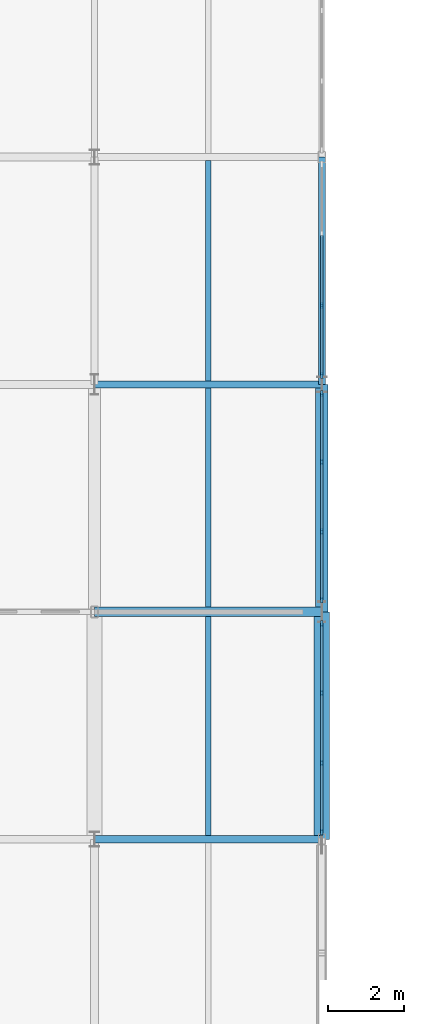
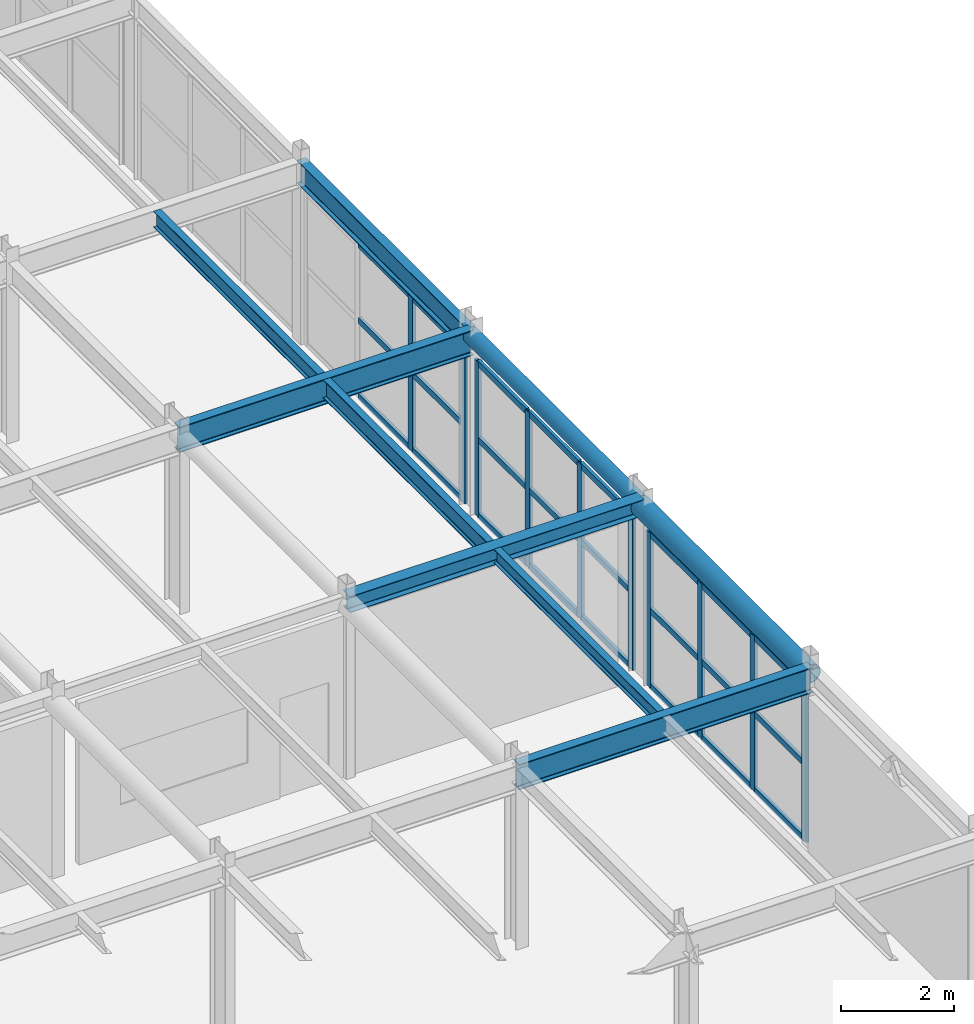
# One storey, part 39 of 116: 34 members, 9 beams, 3 elements without a shape of their own.
"""IFC4 building model written with IfcOpenShell, lengths in metres."""

from ifc_helpers import new_model, si_unit, direction, frame, origin, origin_2d, place, context, subcontext, project, spatial, rectangle, hollow_circle, i_section, extrude, material, material_profile, profile_set, type_object, element, aggregate, save


model = new_model("IFC4")

# Units and contexts
model_context = context("Model", 3, precision=1e-05, world=origin(), true_north=direction((0.0, 1.0)))
body_context = subcontext(model_context, "Body", "Model", "MODEL_VIEW")
ifc_project = project(units=[si_unit("LENGTHUNIT", "METRE"), si_unit("AREAUNIT", "SQUARE_METRE"), si_unit("VOLUMEUNIT", "CUBIC_METRE"), si_unit("PLANEANGLEUNIT", "RADIAN"), si_unit("MASSUNIT", "GRAM", prefix="KILO")], contexts=[model_context])

# Site, building, storey
site_placement = place(None, origin())
site = spatial("IfcSite", under=ifc_project, at=site_placement, CompositionType="ELEMENT")
building_placement = place(site_placement, origin())
building = spatial("IfcBuilding", under=site, at=building_placement, Name="Varnakota Square Police Headquarters", CompositionType="ELEMENT")
storey_placement = place(building_placement, frame((0.0, 0.0, 9.300048828125)))
storey = spatial("IfcBuildingStorey", under=building, at=storey_placement, Name="L02", CompositionType="ELEMENT", Elevation=9.300048828125)

# Beams
ifc_material_1 = material(Name="Steel IS 2062 Grade 350", Category="steel")
ifc_material_profile_1 = material_profile(ifc_material_1, hollow_circle(Radius=0.161865234375, WallThickness=0.0126953125, at=origin_2d()), Name="CHS 323.9x12.7")
ifc_profile_set_1 = profile_set([ifc_material_profile_1], Name="Steel IS 2062 Grade 350")
beam_type_1 = type_object("IfcBeamType", Name="BM-ARC-CHS324", PredefinedType="BEAM", material=ifc_profile_set_1)
beam_1_placement = place(storey_placement, frame((42.0, 39.0, 3.738037109375), z_axis=(0.0, 1.0, 0.0), x_axis=(-1.0, 0.0, 0.0)))
element("IfcBeam", 1, at=beam_1_placement, inside=storey, type_object=beam_type_1, Name="BMG-L02-2186", PredefinedType="BEAM", context=body_context, shape_type="SweptSolid", body=[
    extrude(hollow_circle(Radius=0.161865234375, WallThickness=0.0126953125, at=origin_2d()), origin(), (0.0, 0.0, 1.0), 6.0),
])
ifc_material_profile_2 = material_profile(ifc_material_1, hollow_circle(Radius=0.203125, WallThickness=0.01611328125, at=origin_2d()), Name="CHS 406.4x16.0")
ifc_profile_set_2 = profile_set([ifc_material_profile_2], Name="Steel IS 2062 Grade 350")
beam_type_2 = type_object("IfcBeamType", Name="BM-ARC-CHS406", PredefinedType="BEAM", material=ifc_profile_set_2)
beam_2_placement = place(storey_placement, frame((42.0, 33.0, 3.69677734375), z_axis=(0.0, 1.0, 0.0), x_axis=(-1.0, 0.0, 0.0)))
element("IfcBeam", 2, at=beam_2_placement, inside=storey, type_object=beam_type_2, Name="BMG-L02-2185", PredefinedType="BEAM", context=body_context, shape_type="SweptSolid", body=[
    extrude(hollow_circle(Radius=0.203125, WallThickness=0.01611328125, at=origin_2d()), origin(), (0.0, 0.0, 1.0), 6.0),
])
ifc_material_profile_3 = material_profile(ifc_material_1, i_section(OverallWidth=0.25, OverallDepth=0.35009765625, WebThickness=0.010009765625, FlangeThickness=0.01171875, FilletRadius=0.011962890625, at=origin_2d()), Name="ISHB 350")
ifc_profile_set_3 = profile_set([ifc_material_profile_3], Name="Steel IS 2062 Grade 350")
beam_type_3 = type_object("IfcBeamType", Name="BM-ISHB350", PredefinedType="BEAM", material=ifc_profile_set_3)
beam_3_placement = place(storey_placement, frame((36.0, 39.0, 3.724853515625), z_axis=(1.0, 0.0, 0.0), x_axis=(0.0, 1.0, 0.0)))
element("IfcBeam", 3, at=beam_3_placement, inside=storey, type_object=beam_type_3, Name="BMG-L02-1976", PredefinedType="BEAM", context=body_context, shape_type="SweptSolid", body=[
    extrude(i_section(OverallWidth=0.25, OverallDepth=0.35009765625, WebThickness=0.010009765625, FlangeThickness=0.01171875, FilletRadius=0.011962890625, at=origin_2d()), origin(), (0.0, 0.0, 1.0), 6.0),
])
ifc_material_profile_4 = material_profile(ifc_material_1, i_section(OverallWidth=0.139892578125, OverallDepth=0.300048828125, WebThickness=0.0078125, FlangeThickness=0.01318359375, FilletRadius=0.013916015625, at=origin_2d()), Name="ISMB 300")
ifc_profile_set_4 = profile_set([ifc_material_profile_4], Name="Steel IS 2062 Grade 350")
beam_type_4 = type_object("IfcBeamType", Name="BM-ISMB300", PredefinedType="JOIST", material=ifc_profile_set_4)
beam_4_placement = place(storey_placement, frame((39.0, 33.093017578125, 3.75), z_axis=(0.0, 1.0, 0.0), x_axis=(-1.0, 0.0, 0.0)))
element("IfcBeam", 4, at=beam_4_placement, inside=storey, type_object=beam_type_4, Name="BMG-L02-2361", PredefinedType="JOIST", context=body_context, shape_type="SweptSolid", body=[
    extrude(i_section(OverallWidth=0.139892578125, OverallDepth=0.300048828125, WebThickness=0.0078125, FlangeThickness=0.01318359375, FilletRadius=0.013916015625, at=origin_2d()), origin(), (0.0, 0.0, 1.0), 5.783935546875),
])
ifc_material_profile_5 = material_profile(ifc_material_1, i_section(OverallWidth=0.139892578125, OverallDepth=0.35009765625, WebThickness=0.008056640625, FlangeThickness=0.01416015625, FilletRadius=0.013916015625, at=origin_2d()), Name="ISMB 350")
ifc_profile_set_5 = profile_set([ifc_material_profile_5], Name="Steel IS 2062 Grade 350")
beam_type_5 = type_object("IfcBeamType", Name="BM-ISMB350", PredefinedType="JOIST", material=ifc_profile_set_5)
beam_5_placement = place(storey_placement, frame((39.0, 45.093017578125, 3.724853515625), z_axis=(0.0, 1.0, 0.0), x_axis=(-1.0, 0.0, 0.0)))
element("IfcBeam", 5, at=beam_5_placement, inside=storey, type_object=beam_type_5, Name="BMG-L02-2363", PredefinedType="JOIST", context=body_context, shape_type="SweptSolid", body=[
    extrude(i_section(OverallWidth=0.139892578125, OverallDepth=0.35009765625, WebThickness=0.008056640625, FlangeThickness=0.01416015625, FilletRadius=0.013916015625, at=origin_2d()), origin(), (0.0, 0.0, 1.0), 5.81396484375),
])
ifc_material_profile_6 = material_profile(ifc_material_1, i_section(OverallWidth=0.139892578125, OverallDepth=0.39990234375, WebThickness=0.0087890625, FlangeThickness=0.01611328125, FilletRadius=0.013916015625, at=origin_2d()), Name="ISMB 400")
ifc_profile_set_6 = profile_set([ifc_material_profile_6], Name="Steel IS 2062 Grade 350")
beam_type_6 = type_object("IfcBeamType", Name="BM-ISMB400", PredefinedType="JOIST", material=ifc_profile_set_6)
beam_6_placement = place(storey_placement, frame((39.0, 39.123046875, 3.699951171875), z_axis=(0.0, 1.0, 0.0), x_axis=(-1.0, 0.0, 0.0)))
element("IfcBeam", 6, at=beam_6_placement, inside=storey, type_object=beam_type_6, Name="BMG-L02-2362", PredefinedType="JOIST", context=body_context, shape_type="SweptSolid", body=[
    extrude(i_section(OverallWidth=0.139892578125, OverallDepth=0.39990234375, WebThickness=0.0087890625, FlangeThickness=0.01611328125, FilletRadius=0.013916015625, at=origin_2d()), origin(), (0.0, 0.0, 1.0), 5.783935546875),
])
ifc_material_profile_7 = material_profile(ifc_material_1, i_section(OverallWidth=0.179931640625, OverallDepth=0.5, WebThickness=0.01025390625, FlangeThickness=0.01708984375, FilletRadius=0.01708984375, at=origin_2d()), Name="ISMB 500")
ifc_profile_set_7 = profile_set([ifc_material_profile_7], Name="Steel IS 2062 Grade 350")
beam_type_7 = type_object("IfcBeamType", Name="BM-ISMB500", PredefinedType="BEAM", material=ifc_profile_set_7)
beam_7_placement = place(storey_placement, frame((42.0, 45.0, 3.64990234375), z_axis=(0.0, 1.0, 0.0), x_axis=(-1.0, 0.0, 0.0)))
element("IfcBeam", 7, at=beam_7_placement, inside=storey, type_object=beam_type_7, Name="BMG-L02-2187", PredefinedType="BEAM", context=body_context, shape_type="SweptSolid", body=[
    extrude(i_section(OverallWidth=0.179931640625, OverallDepth=0.5, WebThickness=0.01025390625, FlangeThickness=0.01708984375, FilletRadius=0.01708984375, at=origin_2d()), origin(), (0.0, 0.0, 1.0), 6.0),
])
ifc_material_profile_8 = material_profile(ifc_material_1, i_section(OverallWidth=0.18994140625, OverallDepth=0.550048828125, WebThickness=0.01123046875, FlangeThickness=0.019287109375, FilletRadius=0.01806640625, at=origin_2d()), Name="ISMB 550")
ifc_profile_set_8 = profile_set([ifc_material_profile_8], Name="Steel IS 2062 Grade 350")
beam_type_8 = type_object("IfcBeamType", Name="BM-ISMB550", PredefinedType="BEAM", material=ifc_profile_set_8)
for number, where, z_axis, x_axis, name in (
    (8, (36.0, 33.0, 3.625), (1.0, 0.0, 0.0), (0.0, 1.0, 0.0), "BMG-L02-1967"),
    (9, (36.0, 45.0, 3.625), (1.0, 0.0, 0.0), (0.0, 1.0, 0.0), "BMG-L02-1985"),
):
    element("IfcBeam", number, at=place(storey_placement, frame(where, z_axis=z_axis, x_axis=x_axis)), inside=storey, type_object=beam_type_8, Name=name, PredefinedType="BEAM", context=body_context, shape_type="SweptSolid", body=[
        extrude(i_section(OverallWidth=0.18994140625, OverallDepth=0.550048828125, WebThickness=0.01123046875, FlangeThickness=0.019287109375, FilletRadius=0.01806640625, at=origin_2d()), origin(), (0.0, 0.0, 1.0), 6.0),
    ])

# Curtain wall, members
ifc_material_2 = material(Name="Anodised Aluminium Framing", Category="aluminium")
curtain_wall_type = type_object("IfcCurtainWallType", Name="CW-SYS-D", PredefinedType="NOTDEFINED", material=ifc_material_2)
curtain_wall_1_placement = place(storey_placement, origin())
curtain_wall_1 = element("IfcCurtainWall", 10, at=curtain_wall_1_placement, inside=storey, type_object=curtain_wall_type, Name="Unitised curtain wall CWG-L02-155", PredefinedType="NOTDEFINED")
ifc_material_3 = material(Name="Anodised Aluminium 6063-T6", Category="aluminium")
ifc_material_profile_9 = material_profile(ifc_material_3, rectangle(XDim=0.06494140625, YDim=0.159912109375, at=origin_2d()), Name="ALU MULLION 65x160")
ifc_profile_set_9 = profile_set([ifc_material_profile_9], Name="Anodised Aluminium 6063-T6")
member_type_1 = type_object("IfcMemberType", Name="CWM-150", PredefinedType="MULLION", material=ifc_profile_set_9)
member_1_placement = place(storey_placement, frame((42.0, 33.1875, 0.0), z_axis=(0.0, 0.0, 1.0), x_axis=(-1.0, 0.0, 0.0)))
member_1 = element("IfcMember", 11, at=member_1_placement, type_object=member_type_1, Name="CWG-L02-155 mullion 1", PredefinedType="MULLION", context=body_context, shape_type="SweptSolid", body=[
    extrude(rectangle(XDim=0.06494140625, YDim=0.159912109375, at=origin_2d()), origin(), (0.0, 0.0, 1.0), 3.33984375),
])
member_2_placement = place(storey_placement, frame((42.0, 35.010009765625, 0.0), z_axis=(0.0, 0.0, 1.0), x_axis=(-1.0, 0.0, 0.0)))
member_2 = element("IfcMember", 12, at=member_2_placement, type_object=member_type_1, Name="CWG-L02-155 mullion 2", PredefinedType="MULLION", context=body_context, shape_type="SweptSolid", body=[
    extrude(rectangle(XDim=0.06494140625, YDim=0.159912109375, at=origin_2d()), origin(), (0.0, 0.0, 1.0), 3.33984375),
])
member_3_placement = place(storey_placement, frame((42.0, 36.864990234375, 0.0), z_axis=(0.0, 0.0, 1.0), x_axis=(-1.0, 0.0, 0.0)))
member_3 = element("IfcMember", 13, at=member_3_placement, type_object=member_type_1, Name="CWG-L02-155 mullion 3", PredefinedType="MULLION", context=body_context, shape_type="SweptSolid", body=[
    extrude(rectangle(XDim=0.06494140625, YDim=0.159912109375, at=origin_2d()), origin(), (0.0, 0.0, 1.0), 3.33984375),
])
member_4_placement = place(storey_placement, frame((42.0, 38.6875, 0.0), z_axis=(0.0, 0.0, 1.0), x_axis=(-1.0, 0.0, 0.0)))
member_4 = element("IfcMember", 14, at=member_4_placement, type_object=member_type_1, Name="CWG-L02-155 mullion 4", PredefinedType="MULLION", context=body_context, shape_type="SweptSolid", body=[
    extrude(rectangle(XDim=0.06494140625, YDim=0.159912109375, at=origin_2d()), origin(), (0.0, 0.0, 1.0), 3.33984375),
])

curtain_wall_2_placement = place(storey_placement, origin())
curtain_wall_2 = element("IfcCurtainWall", 15, at=curtain_wall_2_placement, inside=storey, type_object=curtain_wall_type, Name="Unitised curtain wall CWG-L02-156", PredefinedType="NOTDEFINED")
member_5_placement = place(storey_placement, frame((42.0, 39.3125, 0.0), z_axis=(0.0, 0.0, 1.0), x_axis=(-1.0, 0.0, 0.0)))
member_5 = element("IfcMember", 16, at=member_5_placement, type_object=member_type_1, Name="CWG-L02-156 mullion 1", PredefinedType="MULLION", context=body_context, shape_type="SweptSolid", body=[
    extrude(rectangle(XDim=0.06494140625, YDim=0.159912109375, at=origin_2d()), origin(), (0.0, 0.0, 1.0), 3.33984375),
])
member_6_placement = place(storey_placement, frame((42.0, 41.118408203125, 0.0), z_axis=(0.0, 0.0, 1.0), x_axis=(-1.0, 0.0, 0.0)))
member_6 = element("IfcMember", 17, at=member_6_placement, type_object=member_type_1, Name="CWG-L02-156 mullion 2", PredefinedType="MULLION", context=body_context, shape_type="SweptSolid", body=[
    extrude(rectangle(XDim=0.06494140625, YDim=0.159912109375, at=origin_2d()), origin(), (0.0, 0.0, 1.0), 3.33984375),
])
member_7_placement = place(storey_placement, frame((42.0, 42.956787109375, 0.0), z_axis=(0.0, 0.0, 1.0), x_axis=(-1.0, 0.0, 0.0)))
member_7 = element("IfcMember", 18, at=member_7_placement, type_object=member_type_1, Name="CWG-L02-156 mullion 3", PredefinedType="MULLION", context=body_context, shape_type="SweptSolid", body=[
    extrude(rectangle(XDim=0.06494140625, YDim=0.159912109375, at=origin_2d()), origin(), (0.0, 0.0, 1.0), 3.33984375),
])
member_8_placement = place(storey_placement, frame((42.0, 44.762451171875, 0.0), z_axis=(0.0, 0.0, 1.0), x_axis=(-1.0, 0.0, 0.0)))
member_8 = element("IfcMember", 19, at=member_8_placement, type_object=member_type_1, Name="CWG-L02-156 mullion 4", PredefinedType="MULLION", context=body_context, shape_type="SweptSolid", body=[
    extrude(rectangle(XDim=0.06494140625, YDim=0.159912109375, at=origin_2d()), origin(), (0.0, 0.0, 1.0), 3.33984375),
])

curtain_wall_3_placement = place(storey_placement, origin())
curtain_wall_3 = element("IfcCurtainWall", 20, at=curtain_wall_3_placement, inside=storey, type_object=curtain_wall_type, Name="Unitised curtain wall CWG-L02-157", PredefinedType="NOTDEFINED")
member_9_placement = place(storey_placement, frame((42.0, 45.237548828125, 0.0), z_axis=(0.0, 0.0, 1.0), x_axis=(-1.0, 0.0, 0.0)))
member_9 = element("IfcMember", 21, at=member_9_placement, type_object=member_type_1, Name="CWG-L02-157 mullion 1", PredefinedType="MULLION", context=body_context, shape_type="SweptSolid", body=[
    extrude(rectangle(XDim=0.06494140625, YDim=0.159912109375, at=origin_2d()), origin(), (0.0, 0.0, 1.0), 3.33984375),
])
member_10_placement = place(storey_placement, frame((42.0, 47.0849609375, 0.0), z_axis=(0.0, 0.0, 1.0), x_axis=(-1.0, 0.0, 0.0)))
member_10 = element("IfcMember", 22, at=member_10_placement, type_object=member_type_1, Name="CWG-L02-157 mullion 2", PredefinedType="MULLION", context=body_context, shape_type="SweptSolid", body=[
    extrude(rectangle(XDim=0.06494140625, YDim=0.159912109375, at=origin_2d()), origin(), (0.0, 0.0, 1.0), 3.33984375),
])

# Member
ifc_material_profile_10 = material_profile(ifc_material_3, rectangle(XDim=0.06494140625, YDim=0.1298828125, at=origin_2d()), Name="ALU TRANSOM 65x130")
ifc_profile_set_10 = profile_set([ifc_material_profile_10], Name="Anodised Aluminium 6063-T6")
member_type_2 = type_object("IfcMemberType", Name="CWT-120", PredefinedType="USERDEFINED", material=ifc_profile_set_10)
member_11_placement = place(storey_placement, frame((42.0, 33.219970703125, 0.032470703125), z_axis=(0.0, 1.0, 0.0), x_axis=(-1.0, 0.0, 0.0)))
member_11 = element("IfcMember", 23, at=member_11_placement, type_object=member_type_2, Name="CWG-L02-155 transom 1.1", ObjectType="TRANSOM", PredefinedType="USERDEFINED", context=body_context, shape_type="SweptSolid", body=[
    extrude(rectangle(XDim=0.06494140625, YDim=0.1298828125, at=origin_2d()), origin(), (0.0, 0.0, 1.0), 1.757568359375),
])

member_12_placement = place(storey_placement, frame((42.0, 33.219970703125, 1.669921875), z_axis=(0.0, 1.0, 0.0), x_axis=(-1.0, 0.0, 0.0)))
member_12 = element("IfcMember", 24, at=member_12_placement, type_object=member_type_2, Name="CWG-L02-155 transom 1.2", ObjectType="TRANSOM", PredefinedType="USERDEFINED", context=body_context, shape_type="SweptSolid", body=[
    extrude(rectangle(XDim=0.06494140625, YDim=0.1298828125, at=origin_2d()), origin(), (0.0, 0.0, 1.0), 1.757568359375),
])

member_13_placement = place(storey_placement, frame((42.0, 33.219970703125, 3.307373046875), z_axis=(0.0, 1.0, 0.0), x_axis=(-1.0, 0.0, 0.0)))
member_13 = element("IfcMember", 25, at=member_13_placement, type_object=member_type_2, Name="CWG-L02-155 transom 1.3", ObjectType="TRANSOM", PredefinedType="USERDEFINED", context=body_context, shape_type="SweptSolid", body=[
    extrude(rectangle(XDim=0.06494140625, YDim=0.1298828125, at=origin_2d()), origin(), (0.0, 0.0, 1.0), 1.757568359375),
])

member_14_placement = place(storey_placement, frame((42.0, 35.04248046875, 0.032470703125), z_axis=(0.0, 1.0, 0.0), x_axis=(-1.0, 0.0, 0.0)))
member_14 = element("IfcMember", 26, at=member_14_placement, type_object=member_type_2, Name="CWG-L02-155 transom 2.1", ObjectType="TRANSOM", PredefinedType="USERDEFINED", context=body_context, shape_type="SweptSolid", body=[
    extrude(rectangle(XDim=0.06494140625, YDim=0.1298828125, at=origin_2d()), origin(), (0.0, 0.0, 1.0), 1.7900390625),
])

member_15_placement = place(storey_placement, frame((42.0, 35.04248046875, 1.669921875), z_axis=(0.0, 1.0, 0.0), x_axis=(-1.0, 0.0, 0.0)))
member_15 = element("IfcMember", 27, at=member_15_placement, type_object=member_type_2, Name="CWG-L02-155 transom 2.2", ObjectType="TRANSOM", PredefinedType="USERDEFINED", context=body_context, shape_type="SweptSolid", body=[
    extrude(rectangle(XDim=0.06494140625, YDim=0.1298828125, at=origin_2d()), origin(), (0.0, 0.0, 1.0), 1.7900390625),
])

member_16_placement = place(storey_placement, frame((42.0, 35.04248046875, 3.307373046875), z_axis=(0.0, 1.0, 0.0), x_axis=(-1.0, 0.0, 0.0)))
member_16 = element("IfcMember", 28, at=member_16_placement, type_object=member_type_2, Name="CWG-L02-155 transom 2.3", ObjectType="TRANSOM", PredefinedType="USERDEFINED", context=body_context, shape_type="SweptSolid", body=[
    extrude(rectangle(XDim=0.06494140625, YDim=0.1298828125, at=origin_2d()), origin(), (0.0, 0.0, 1.0), 1.7900390625),
])

member_17_placement = place(storey_placement, frame((42.0, 36.8974609375, 0.032470703125), z_axis=(0.0, 1.0, 0.0), x_axis=(-1.0, 0.0, 0.0)))
member_17 = element("IfcMember", 29, at=member_17_placement, type_object=member_type_2, Name="CWG-L02-155 transom 3.1", ObjectType="TRANSOM", PredefinedType="USERDEFINED", context=body_context, shape_type="SweptSolid", body=[
    extrude(rectangle(XDim=0.06494140625, YDim=0.1298828125, at=origin_2d()), origin(), (0.0, 0.0, 1.0), 1.757568359375),
])

member_18_placement = place(storey_placement, frame((42.0, 36.8974609375, 1.669921875), z_axis=(0.0, 1.0, 0.0), x_axis=(-1.0, 0.0, 0.0)))
member_18 = element("IfcMember", 30, at=member_18_placement, type_object=member_type_2, Name="CWG-L02-155 transom 3.2", ObjectType="TRANSOM", PredefinedType="USERDEFINED", context=body_context, shape_type="SweptSolid", body=[
    extrude(rectangle(XDim=0.06494140625, YDim=0.1298828125, at=origin_2d()), origin(), (0.0, 0.0, 1.0), 1.757568359375),
])

member_19_placement = place(storey_placement, frame((42.0, 36.8974609375, 3.307373046875), z_axis=(0.0, 1.0, 0.0), x_axis=(-1.0, 0.0, 0.0)))
member_19 = element("IfcMember", 31, at=member_19_placement, type_object=member_type_2, Name="CWG-L02-155 transom 3.3", ObjectType="TRANSOM", PredefinedType="USERDEFINED", context=body_context, shape_type="SweptSolid", body=[
    extrude(rectangle(XDim=0.06494140625, YDim=0.1298828125, at=origin_2d()), origin(), (0.0, 0.0, 1.0), 1.757568359375),
])

aggregate(curtain_wall_1, [member_1, member_2, member_3, member_4, member_11, member_12, member_13, member_14, member_15, member_16, member_17, member_18, member_19])

member_20_placement = place(storey_placement, frame((42.0, 39.344970703125, 0.032470703125), z_axis=(0.0, 1.0, 0.0), x_axis=(-1.0, 0.0, 0.0)))
member_20 = element("IfcMember", 32, at=member_20_placement, type_object=member_type_2, Name="CWG-L02-156 transom 1.1", ObjectType="TRANSOM", PredefinedType="USERDEFINED", context=body_context, shape_type="SweptSolid", body=[
    extrude(rectangle(XDim=0.06494140625, YDim=0.1298828125, at=origin_2d()), origin(), (0.0, 0.0, 1.0), 1.740966796875),
])

member_21_placement = place(storey_placement, frame((42.0, 39.344970703125, 1.669921875), z_axis=(0.0, 1.0, 0.0), x_axis=(-1.0, 0.0, 0.0)))
member_21 = element("IfcMember", 33, at=member_21_placement, type_object=member_type_2, Name="CWG-L02-156 transom 1.2", ObjectType="TRANSOM", PredefinedType="USERDEFINED", context=body_context, shape_type="SweptSolid", body=[
    extrude(rectangle(XDim=0.06494140625, YDim=0.1298828125, at=origin_2d()), origin(), (0.0, 0.0, 1.0), 1.740966796875),
])

member_22_placement = place(storey_placement, frame((42.0, 39.344970703125, 3.307373046875), z_axis=(0.0, 1.0, 0.0), x_axis=(-1.0, 0.0, 0.0)))
member_22 = element("IfcMember", 34, at=member_22_placement, type_object=member_type_2, Name="CWG-L02-156 transom 1.3", ObjectType="TRANSOM", PredefinedType="USERDEFINED", context=body_context, shape_type="SweptSolid", body=[
    extrude(rectangle(XDim=0.06494140625, YDim=0.1298828125, at=origin_2d()), origin(), (0.0, 0.0, 1.0), 1.740966796875),
])

member_23_placement = place(storey_placement, frame((42.0, 41.15087890625, 0.032470703125), z_axis=(0.0, 1.0, 0.0), x_axis=(-1.0, 0.0, 0.0)))
member_23 = element("IfcMember", 35, at=member_23_placement, type_object=member_type_2, Name="CWG-L02-156 transom 2.1", ObjectType="TRANSOM", PredefinedType="USERDEFINED", context=body_context, shape_type="SweptSolid", body=[
    extrude(rectangle(XDim=0.06494140625, YDim=0.1298828125, at=origin_2d()), origin(), (0.0, 0.0, 1.0), 1.773193359375),
])

member_24_placement = place(storey_placement, frame((42.0, 41.15087890625, 1.669921875), z_axis=(0.0, 1.0, 0.0), x_axis=(-1.0, 0.0, 0.0)))
member_24 = element("IfcMember", 36, at=member_24_placement, type_object=member_type_2, Name="CWG-L02-156 transom 2.2", ObjectType="TRANSOM", PredefinedType="USERDEFINED", context=body_context, shape_type="SweptSolid", body=[
    extrude(rectangle(XDim=0.06494140625, YDim=0.1298828125, at=origin_2d()), origin(), (0.0, 0.0, 1.0), 1.773193359375),
])

member_25_placement = place(storey_placement, frame((42.0, 41.15087890625, 3.307373046875), z_axis=(0.0, 1.0, 0.0), x_axis=(-1.0, 0.0, 0.0)))
member_25 = element("IfcMember", 37, at=member_25_placement, type_object=member_type_2, Name="CWG-L02-156 transom 2.3", ObjectType="TRANSOM", PredefinedType="USERDEFINED", context=body_context, shape_type="SweptSolid", body=[
    extrude(rectangle(XDim=0.06494140625, YDim=0.1298828125, at=origin_2d()), origin(), (0.0, 0.0, 1.0), 1.773193359375),
])

member_26_placement = place(storey_placement, frame((42.0, 42.9892578125, 0.032470703125), z_axis=(0.0, 1.0, 0.0), x_axis=(-1.0, 0.0, 0.0)))
member_26 = element("IfcMember", 38, at=member_26_placement, type_object=member_type_2, Name="CWG-L02-156 transom 3.1", ObjectType="TRANSOM", PredefinedType="USERDEFINED", context=body_context, shape_type="SweptSolid", body=[
    extrude(rectangle(XDim=0.06494140625, YDim=0.1298828125, at=origin_2d()), origin(), (0.0, 0.0, 1.0), 1.74072265625),
])

member_27_placement = place(storey_placement, frame((42.0, 42.9892578125, 1.669921875), z_axis=(0.0, 1.0, 0.0), x_axis=(-1.0, 0.0, 0.0)))
member_27 = element("IfcMember", 39, at=member_27_placement, type_object=member_type_2, Name="CWG-L02-156 transom 3.2", ObjectType="TRANSOM", PredefinedType="USERDEFINED", context=body_context, shape_type="SweptSolid", body=[
    extrude(rectangle(XDim=0.06494140625, YDim=0.1298828125, at=origin_2d()), origin(), (0.0, 0.0, 1.0), 1.74072265625),
])

member_28_placement = place(storey_placement, frame((42.0, 42.9892578125, 3.307373046875), z_axis=(0.0, 1.0, 0.0), x_axis=(-1.0, 0.0, 0.0)))
member_28 = element("IfcMember", 40, at=member_28_placement, type_object=member_type_2, Name="CWG-L02-156 transom 3.3", ObjectType="TRANSOM", PredefinedType="USERDEFINED", context=body_context, shape_type="SweptSolid", body=[
    extrude(rectangle(XDim=0.06494140625, YDim=0.1298828125, at=origin_2d()), origin(), (0.0, 0.0, 1.0), 1.74072265625),
])

aggregate(curtain_wall_2, [member_5, member_6, member_7, member_8, member_20, member_21, member_22, member_23, member_24, member_25, member_26, member_27, member_28])

member_29_placement = place(storey_placement, frame((42.0, 45.27001953125, 0.032470703125), z_axis=(0.0, 1.0, 0.0), x_axis=(-1.0, 0.0, 0.0)))
member_29 = element("IfcMember", 41, at=member_29_placement, type_object=member_type_2, Name="CWG-L02-157 transom 1.1", ObjectType="TRANSOM", PredefinedType="USERDEFINED", context=body_context, shape_type="SweptSolid", body=[
    extrude(rectangle(XDim=0.06494140625, YDim=0.1298828125, at=origin_2d()), origin(), (0.0, 0.0, 1.0), 1.782470703125),
])

member_30_placement = place(storey_placement, frame((42.0, 45.27001953125, 1.669921875), z_axis=(0.0, 1.0, 0.0), x_axis=(-1.0, 0.0, 0.0)))
member_30 = element("IfcMember", 42, at=member_30_placement, type_object=member_type_2, Name="CWG-L02-157 transom 1.2", ObjectType="TRANSOM", PredefinedType="USERDEFINED", context=body_context, shape_type="SweptSolid", body=[
    extrude(rectangle(XDim=0.06494140625, YDim=0.1298828125, at=origin_2d()), origin(), (0.0, 0.0, 1.0), 1.782470703125),
])

member_31_placement = place(storey_placement, frame((42.0, 45.27001953125, 3.307373046875), z_axis=(0.0, 1.0, 0.0), x_axis=(-1.0, 0.0, 0.0)))
member_31 = element("IfcMember", 43, at=member_31_placement, type_object=member_type_2, Name="CWG-L02-157 transom 1.3", ObjectType="TRANSOM", PredefinedType="USERDEFINED", context=body_context, shape_type="SweptSolid", body=[
    extrude(rectangle(XDim=0.06494140625, YDim=0.1298828125, at=origin_2d()), origin(), (0.0, 0.0, 1.0), 1.782470703125),
])

member_32_placement = place(storey_placement, frame((42.0, 47.117431640625, 0.032470703125), z_axis=(0.0, 1.0, 0.0), x_axis=(-1.0, 0.0, 0.0)))
member_32 = element("IfcMember", 44, at=member_32_placement, type_object=member_type_2, Name="CWG-L02-157 transom 2.1", ObjectType="TRANSOM", PredefinedType="USERDEFINED", context=body_context, shape_type="SweptSolid", body=[
    extrude(rectangle(XDim=0.06494140625, YDim=0.1298828125, at=origin_2d()), origin(), (0.0, 0.0, 1.0), 1.815185546875),
])

member_33_placement = place(storey_placement, frame((42.0, 47.117431640625, 1.669921875), z_axis=(0.0, 1.0, 0.0), x_axis=(-1.0, 0.0, 0.0)))
member_33 = element("IfcMember", 45, at=member_33_placement, type_object=member_type_2, Name="CWG-L02-157 transom 2.2", ObjectType="TRANSOM", PredefinedType="USERDEFINED", context=body_context, shape_type="SweptSolid", body=[
    extrude(rectangle(XDim=0.06494140625, YDim=0.1298828125, at=origin_2d()), origin(), (0.0, 0.0, 1.0), 1.815185546875),
])

member_34_placement = place(storey_placement, frame((42.0, 47.117431640625, 3.307373046875), z_axis=(0.0, 1.0, 0.0), x_axis=(-1.0, 0.0, 0.0)))
member_34 = element("IfcMember", 46, at=member_34_placement, type_object=member_type_2, Name="CWG-L02-157 transom 2.3", ObjectType="TRANSOM", PredefinedType="USERDEFINED", context=body_context, shape_type="SweptSolid", body=[
    extrude(rectangle(XDim=0.06494140625, YDim=0.1298828125, at=origin_2d()), origin(), (0.0, 0.0, 1.0), 1.815185546875),
])

aggregate(curtain_wall_3, [member_9, member_10, member_29, member_30, member_31, member_32, member_33, member_34])

save(model, "model.ifc")
